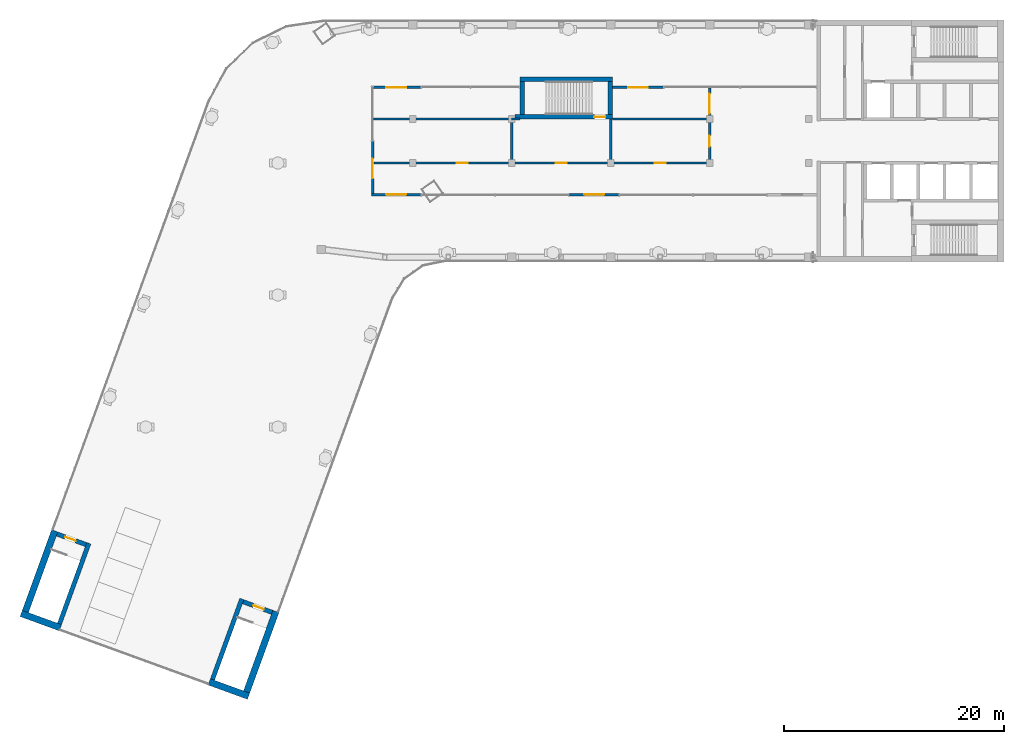
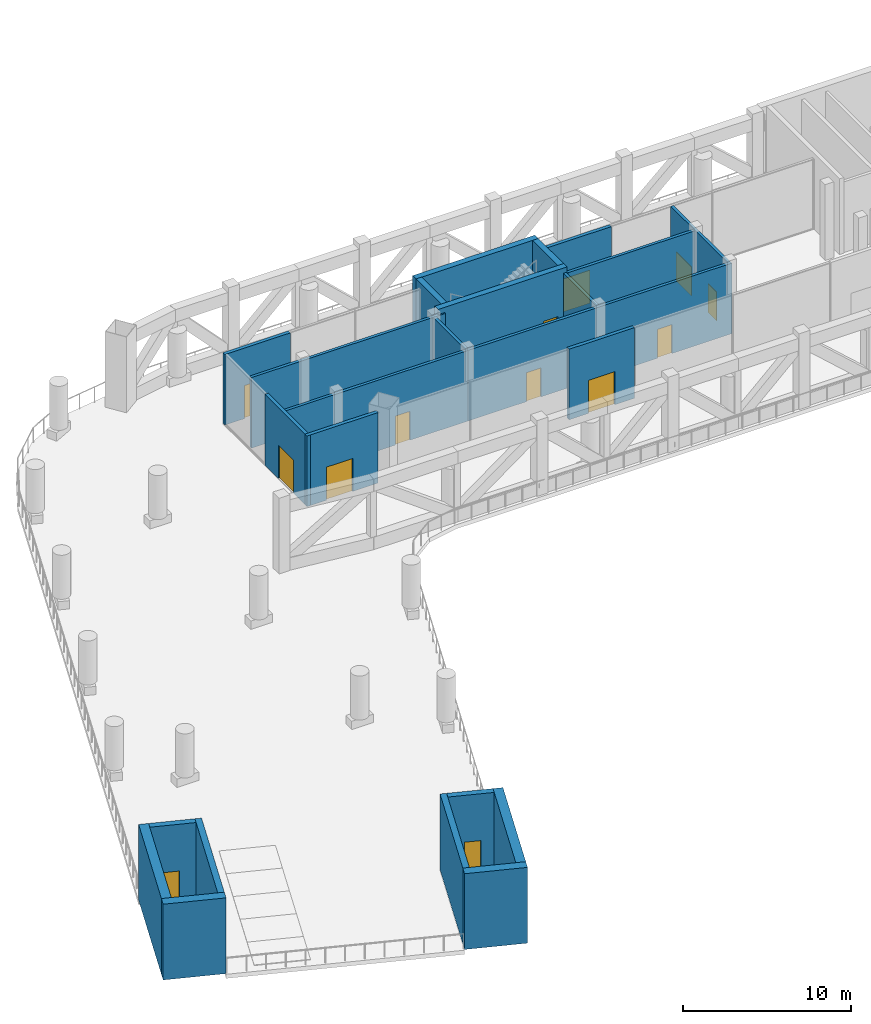
# One storey, part 8 of 14: 25 walls, 13 doors, 13 openings.
"""IFC4 building model written with IfcOpenShell, lengths in metres."""

from ifc_helpers import new_model, si_unit, direction, frame, frame_2d, origin, place, context, subcontext, project, spatial, rectangle, extrude, material, layer, layer_set, type_object, element, fill, save


model = new_model("IFC4")

# Units and contexts
model_context = context("Model", 3, precision=1e-05, world=origin(), true_north=direction((0.0, 1.0)))
body_context = subcontext(model_context, "Body", "Model", "MODEL_VIEW")
ifc_project = project(units=[si_unit("LENGTHUNIT", "METRE"), si_unit("AREAUNIT", "SQUARE_METRE"), si_unit("VOLUMEUNIT", "CUBIC_METRE"), si_unit("PLANEANGLEUNIT", "RADIAN"), si_unit("MASSUNIT", "GRAM", prefix="KILO")], contexts=[model_context])

# Site, building, storey
site_placement = place(None, origin())
site = spatial("IfcSite", under=ifc_project, at=site_placement, CompositionType="ELEMENT")
building_placement = place(site_placement, origin())
building = spatial("IfcBuilding", under=site, at=building_placement, Name="Skarvind Civic Tower", CompositionType="ELEMENT")
storey_placement = place(building_placement, frame((0.0, 0.0, 236.0)))
storey = spatial("IfcBuildingStorey", under=building, at=storey_placement, Name="L56", CompositionType="ELEMENT", Elevation=236.0)

# Wall
ifc_material_1 = material(Name="Concrete C60", Category="concrete")
ifc_layer_1 = layer(ifc_material_1, 0.39990234375)
ifc_layer_set_1 = layer_set([ifc_layer_1], Name="Core wall 400 C60")
wall_type_1 = type_object("IfcWallType", Name="Core wall 400 C60", PredefinedType="SHEAR", material=ifc_layer_set_1)
wall_1_placement = place(storey_placement, frame((36.057861328125, 79.04833984375, 0.0), z_axis=(0.0, 0.0, 1.0), x_axis=(0.342016982193, 0.939693771338, 0.0)))
element("IfcWall", 1, at=wall_1_placement, inside=storey, type_object=wall_type_1, Name="Core wall C2 south stair head-house inner L56", PredefinedType="SHEAR", context=body_context, shape_type="SweptSolid", body=[
    extrude(rectangle(XDim=7.800048828125, YDim=0.39990234375, at=frame_2d((3.89990234375, 0.0))), origin(), (0.0, 0.0, 1.0), 5.5),
])

# Wall, opening, door
wall_2_placement = place(storey_placement, frame((41.476318359375, 85.163818359375, 0.0), z_axis=(0.0, 0.0, 1.0), x_axis=(-0.939678810556, 0.342058084236, 0.0)))
wall_2 = element("IfcWall", 2, at=wall_2_placement, inside=storey, type_object=wall_type_1, Name="Core wall C2 south stair head-house end L56", PredefinedType="SHEAR", context=body_context, shape_type="SweptSolid", body=[
    extrude(rectangle(XDim=2.800048828125, YDim=0.39990234375, at=frame_2d((1.39990234375, 0.0))), origin(), (0.0, 0.0, 1.0), 5.5),
])
opening_1_placement = place(wall_2_placement, frame((0.800048828125, 0.0, 0.0)))
opening_1 = element("IfcOpeningElement", 3, at=opening_1_placement, cuts=wall_2, Name="Opening D-L56-C2-01", PredefinedType="OPENING", context=body_context, shape_type="SweptSolid", body=[
    extrude(rectangle(XDim=1.0, YDim=2.10009765625, at=frame_2d((0.5, 1.050048828125))), frame((0.0, 0.2099609375, 0.0), z_axis=(0.0, -1.0, 0.0), x_axis=(1.0, 0.0, 0.0)), (0.0, 0.0, 1.0), 0.419921875),
])
ifc_material_2 = material(Name="Fire-rated steel door", Category="steel")
door_type_1 = type_object("IfcDoorType", Name="Fire door 1000", OperationType="NOTDEFINED", PredefinedType="DOOR", material=ifc_material_2)
door_1_placement = place(opening_1_placement, origin())
door_1 = element("IfcDoor", 4, at=door_1_placement, inside=storey, type_object=door_type_1, Name="Roof door", OperationType="SINGLE_SWING_LEFT", OverallHeight=2.10009765625, OverallWidth=1.0, PredefinedType="DOOR", context=body_context, shape_type="SweptSolid", body=[
    extrude(rectangle(XDim=1.0, YDim=2.10009765625, at=frame_2d((0.5, 1.050048828125))), frame((0.0, 0.02490234375, 0.0), z_axis=(0.0, -1.0, 0.0), x_axis=(1.0, 0.0, 0.0)), (0.0, 0.0, 1.0), 0.050048828125),
])
fill(opening_1, door_1)

# Wall
wall_3_placement = place(storey_placement, frame((22.150390625, 84.110107421875, 0.0), z_axis=(0.0, 0.0, 1.0), x_axis=(0.342016982193, 0.939693771338, 0.0)))
element("IfcWall", 5, at=wall_3_placement, inside=storey, type_object=wall_type_1, Name="Core wall C2 north stair head-house inner L56", PredefinedType="SHEAR", context=body_context, shape_type="SweptSolid", body=[
    extrude(rectangle(XDim=7.800048828125, YDim=0.39990234375, at=frame_2d((3.89990234375, 0.0))), origin(), (0.0, 0.0, 1.0), 5.5),
])

# Wall, opening, door
wall_4_placement = place(storey_placement, frame((24.56201171875, 91.3203125, 0.0), z_axis=(0.0, 0.0, 1.0), x_axis=(-0.939717030584, 0.341953070509, 0.0)))
wall_4 = element("IfcWall", 6, at=wall_4_placement, inside=storey, type_object=wall_type_1, Name="Core wall C2 north stair head-house end L56", PredefinedType="SHEAR", context=body_context, shape_type="SweptSolid", body=[
    extrude(rectangle(XDim=2.800048828125, YDim=0.39990234375, at=frame_2d((1.39990234375, 0.0))), origin(), (0.0, 0.0, 1.0), 5.5),
])
opening_2_placement = place(wall_4_placement, frame((1.0, 0.0, 0.0)))
opening_2 = element("IfcOpeningElement", 7, at=opening_2_placement, cuts=wall_4, Name="Opening D-L56-C2-02", PredefinedType="OPENING", context=body_context, shape_type="SweptSolid", body=[
    extrude(rectangle(XDim=1.0, YDim=2.10009765625, at=frame_2d((0.5, 1.050048828125))), frame((0.0, 0.2099609375, 0.0), z_axis=(0.0, -1.0, 0.0), x_axis=(1.0, 0.0, 0.0)), (0.0, 0.0, 1.0), 0.419921875),
])
door_2_placement = place(opening_2_placement, origin())
door_2 = element("IfcDoor", 8, at=door_2_placement, inside=storey, type_object=door_type_1, Name="Roof door", OperationType="SINGLE_SWING_LEFT", OverallHeight=2.10009765625, OverallWidth=1.0, PredefinedType="DOOR", context=body_context, shape_type="SweptSolid", body=[
    extrude(rectangle(XDim=1.0, YDim=2.10009765625, at=frame_2d((0.5, 1.050048828125))), frame((0.0, 0.02490234375, 0.0), z_axis=(0.0, -1.0, 0.0), x_axis=(1.0, 0.0, 0.0)), (0.0, 0.0, 1.0), 0.050048828125),
])
fill(opening_2, door_2)

wall_5_placement = place(storey_placement, frame((63.550048828125, 130.199951171875, 0.0), z_axis=(0.0, 0.0, 1.0), x_axis=(1.0, 0.0, 0.0)))
wall_5 = element("IfcWall", 9, at=wall_5_placement, inside=storey, type_object=wall_type_1, Name="Core wall CM inner L56", PredefinedType="SHEAR", context=body_context, shape_type="SweptSolid", body=[
    extrude(rectangle(XDim=8.849853515625, YDim=0.39990234375, at=frame_2d((4.4248046875, 0.0))), origin(), (0.0, 0.0, 1.0), 5.5),
])
opening_3_placement = place(wall_5_placement, frame((7.22509765625, 0.0, 0.0)))
opening_3 = element("IfcOpeningElement", 10, at=opening_3_placement, cuts=wall_5, Name="Opening D-L56-CM-01", PredefinedType="OPENING", context=body_context, shape_type="SweptSolid", body=[
    extrude(rectangle(XDim=1.0, YDim=2.10009765625, at=frame_2d((0.5, 1.050048828125))), frame((0.0, 0.2099609375, 0.0), z_axis=(0.0, -1.0, 0.0), x_axis=(1.0, 0.0, 0.0)), (0.0, 0.0, 1.0), 0.419921875),
])
door_3_placement = place(opening_3_placement, origin())
door_3 = element("IfcDoor", 11, at=door_3_placement, inside=storey, type_object=door_type_1, Name="Fire door", OperationType="SINGLE_SWING_LEFT", OverallHeight=2.10009765625, OverallWidth=1.0, PredefinedType="DOOR", context=body_context, shape_type="SweptSolid", body=[
    extrude(rectangle(XDim=1.0, YDim=2.10009765625, at=frame_2d((0.5, 1.050048828125))), frame((0.0, 0.02490234375, 0.0), z_axis=(0.0, -1.0, 0.0), x_axis=(1.0, 0.0, 0.0)), (0.0, 0.0, 1.0), 0.050048828125),
])
fill(opening_3, door_3)

# Walls
wall_6_placement = place(storey_placement, frame((64.0, 133.60009765625, 0.0), z_axis=(0.0, 0.0, 1.0), x_axis=(1.0, 0.0, 0.0)))
element("IfcWall", 12, at=wall_6_placement, inside=storey, type_object=wall_type_1, Name="Core wall CM outer L56", PredefinedType="SHEAR", context=body_context, shape_type="SweptSolid", body=[
    extrude(rectangle(XDim=8.39990234375, YDim=0.39990234375, at=frame_2d((4.199951171875, 0.0))), origin(), (0.0, 0.0, 1.0), 5.5),
])
for number, where, z_axis, x_axis, name in (
    (13, (64.199951171875, 130.39990234375, 0.0), (0.0, 0.0, 1.0), (0.0, 1.0, 0.0), "Core wall CM west L56"),
    (14, (72.199951171875, 130.39990234375, 0.0), (0.0, 0.0, 1.0), (0.0, 1.0, 0.0), "Core wall CM end L56"),
):
    element("IfcWall", number, at=place(storey_placement, frame(where, z_axis=z_axis, x_axis=x_axis)), inside=storey, type_object=wall_type_1, Name=name, PredefinedType="SHEAR", context=body_context, shape_type="SweptSolid", body=[
        extrude(rectangle(XDim=3.0, YDim=0.39990234375, at=frame_2d((1.5, 0.0))), origin(), (0.0, 0.0, 1.0), 5.5),
    ])
ifc_layer_2 = layer(ifc_material_1, 0.60009765625)
ifc_layer_set_2 = layer_set([ifc_layer_2], Name="Core wall 600 C60")
wall_type_2 = type_object("IfcWallType", Name="Core wall 600 C60", PredefinedType="SHEAR", material=ifc_layer_set_2)
wall_7_placement = place(storey_placement, frame((39.338134765625, 77.53515625, 0.0), z_axis=(0.0, 0.0, 1.0), x_axis=(-0.939701471648, 0.341995824804, 0.0)))
element("IfcWall", 15, at=wall_7_placement, inside=storey, type_object=wall_type_2, Name="Core wall C2 south stair head-house tip L56", PredefinedType="SHEAR", context=body_context, shape_type="SweptSolid", body=[
    extrude(rectangle(XDim=3.800048828125, YDim=0.60009765625, at=frame_2d((1.89990234375, 0.0))), origin(), (0.0, 0.0, 1.0), 5.5),
])
wall_8_placement = place(storey_placement, frame((39.158935546875, 77.919677734375, 0.0), z_axis=(0.0, 0.0, 1.0), x_axis=(0.342016982193, 0.939693771338, 0.0)))
element("IfcWall", 16, at=wall_8_placement, inside=storey, type_object=wall_type_2, Name="Core wall C2 south stair head-house side L56", PredefinedType="SHEAR", context=body_context, shape_type="SweptSolid", body=[
    extrude(rectangle(XDim=7.800048828125, YDim=0.60009765625, at=frame_2d((3.89990234375, 0.0))), origin(), (0.0, 0.0, 1.0), 5.5),
])
wall_9_placement = place(storey_placement, frame((22.23583984375, 83.759765625, 0.0), z_axis=(0.0, 0.0, 1.0), x_axis=(-0.939680822529, 0.342052557032, 0.0)))
element("IfcWall", 17, at=wall_9_placement, inside=storey, type_object=wall_type_2, Name="Core wall C2 north stair head-house tip L56", PredefinedType="SHEAR", context=body_context, shape_type="SweptSolid", body=[
    extrude(rectangle(XDim=3.800048828125, YDim=0.60009765625, at=frame_2d((1.89990234375, 0.0))), origin(), (0.0, 0.0, 1.0), 5.5),
])
wall_10_placement = place(storey_placement, frame((19.049560546875, 85.23876953125, 0.0), z_axis=(0.0, 0.0, 1.0), x_axis=(0.342016982193, 0.939693771338, 0.0)))
element("IfcWall", 18, at=wall_10_placement, inside=storey, type_object=wall_type_2, Name="Core wall C2 north stair head-house side L56", PredefinedType="SHEAR", context=body_context, shape_type="SweptSolid", body=[
    extrude(rectangle(XDim=7.800048828125, YDim=0.60009765625, at=frame_2d((3.89990234375, 0.0))), origin(), (0.0, 0.0, 1.0), 5.5),
])

# Wall, opening, door
ifc_material_3 = material(Name="Fire-rated blockwork wall, plastered", Category="masonry")
ifc_layer_3 = layer(ifc_material_3, 0.199951171875)
ifc_layer_set_3 = layer_set([ifc_layer_3], Name="FIRE WALL 200 EI 120")
wall_type_3 = type_object("IfcWallType", Name="FIRE WALL 200 EI 120", PredefinedType="PARTITIONING", material=ifc_layer_set_3)
wall_11_placement = place(storey_placement, frame((50.719970703125, 126.0, 0.0), z_axis=(0.0, 0.0, 1.0), x_axis=(1.0, 0.0, 0.0)))
wall_11 = element("IfcWall", 19, at=wall_11_placement, inside=storey, type_object=wall_type_3, Name="Separator partition L56 001", PredefinedType="PARTITIONING", context=body_context, shape_type="SweptSolid", body=[
    extrude(rectangle(XDim=12.530029296875, YDim=0.199951171875, at=frame_2d((6.26513671875, 0.0))), origin(), (0.0, 0.0, 1.0), 5.125),
])
opening_4_placement = place(wall_11_placement, frame((7.530029296875, 0.0, 0.0)))
opening_4 = element("IfcOpeningElement", 20, at=opening_4_placement, cuts=wall_11, Name="Opening L56-D201", PredefinedType="OPENING", context=body_context, shape_type="SweptSolid", body=[
    extrude(rectangle(XDim=1.0, YDim=2.10009765625, at=frame_2d((0.5, 1.050048828125))), frame((0.0, 0.10986328125, 0.0), z_axis=(0.0, -1.0, 0.0), x_axis=(1.0, 0.0, 0.0)), (0.0, 0.0, 1.0), 0.219970703125),
])
ifc_material_4 = material(Name="Painted steel fire door leaf", Category="steel")
door_type_2 = type_object("IfcDoorType", Name="FIRE DOOR 1000X2100 STEEL", OperationType="NOTDEFINED", PredefinedType="DOOR", material=ifc_material_4)
door_4_placement = place(opening_4_placement, origin())
door_4 = element("IfcDoor", 21, at=door_4_placement, inside=storey, type_object=door_type_2, Name="FIRE DOOR", OperationType="SINGLE_SWING_LEFT", OverallHeight=2.10009765625, OverallWidth=1.0, PredefinedType="DOOR", context=body_context, shape_type="SweptSolid", body=[
    extrude(rectangle(XDim=1.0, YDim=2.10009765625, at=frame_2d((0.5, 1.050048828125))), frame((0.0, 0.02490234375, 0.0), z_axis=(0.0, -1.0, 0.0), x_axis=(1.0, 0.0, 0.0)), (0.0, 0.0, 1.0), 0.050048828125),
])
fill(opening_4, door_4)

# Walls
wall_12_placement = place(storey_placement, frame((50.679931640625, 130.0, 0.0), z_axis=(0.0, 0.0, 1.0), x_axis=(1.0, 0.0, 0.0)))
element("IfcWall", 22, at=wall_12_placement, inside=storey, type_object=wall_type_3, Name="Separator partition L56 002", PredefinedType="PARTITIONING", context=body_context, shape_type="SweptSolid", body=[
    extrude(rectangle(XDim=12.570068359375, YDim=0.199951171875, at=frame_2d((6.28515625, 0.0))), origin(), (0.0, 0.0, 1.0), 5.125),
])
wall_13_placement = place(storey_placement, frame((63.25, 126.10009765625, 0.0), z_axis=(0.0, 0.0, 1.0), x_axis=(0.0, 1.0, 0.0)))
element("IfcWall", 23, at=wall_13_placement, inside=storey, type_object=wall_type_3, Name="Separator partition L56 003", PredefinedType="PARTITIONING", context=body_context, shape_type="SweptSolid", body=[
    extrude(rectangle(XDim=3.7998046875, YDim=0.199951171875, at=frame_2d((1.89990234375, 0.0))), origin(), (0.0, 0.0, 1.0), 5.125),
])

# Wall, openings, doors
ifc_layer_4 = layer(ifc_material_3, 0.199951171875)
ifc_layer_set_4 = layer_set([ifc_layer_4], Name="FIRE WALL 200 EI 60")
wall_type_4 = type_object("IfcWallType", Name="FIRE WALL 200 EI 60", PredefinedType="PARTITIONING", material=ifc_layer_set_4)
wall_14_placement = place(storey_placement, frame((63.25, 126.0, 0.0), z_axis=(0.0, 0.0, 1.0), x_axis=(1.0, 0.0, 0.0)))
wall_14 = element("IfcWall", 24, at=wall_14_placement, inside=storey, type_object=wall_type_4, Name="Separator partition L56 004", PredefinedType="PARTITIONING", context=body_context, shape_type="SweptSolid", body=[
    extrude(rectangle(XDim=18.10009765625, YDim=0.199951171875, at=frame_2d((9.050048828125, 0.0))), origin(), (0.0, 0.0, 1.0), 5.125),
])
opening_5_placement = place(wall_14_placement, frame((4.0, 0.0, 0.0)))
opening_5 = element("IfcOpeningElement", 25, at=opening_5_placement, cuts=wall_14, Name="Opening L56-D202", PredefinedType="OPENING", context=body_context, shape_type="SweptSolid", body=[
    extrude(rectangle(XDim=1.0, YDim=2.10009765625, at=frame_2d((0.5, 1.050048828125))), frame((0.0, 0.10986328125, 0.0), z_axis=(0.0, -1.0, 0.0), x_axis=(1.0, 0.0, 0.0)), (0.0, 0.0, 1.0), 0.219970703125),
])
opening_6_placement = place(wall_14_placement, frame((13.0, 0.0, 0.0)))
opening_6 = element("IfcOpeningElement", 26, at=opening_6_placement, cuts=wall_14, Name="Opening L56-D203", PredefinedType="OPENING", context=body_context, shape_type="SweptSolid", body=[
    extrude(rectangle(XDim=1.0, YDim=2.10009765625, at=frame_2d((0.5, 1.050048828125))), frame((0.0, 0.10986328125, 0.0), z_axis=(0.0, -1.0, 0.0), x_axis=(1.0, 0.0, 0.0)), (0.0, 0.0, 1.0), 0.219970703125),
])
door_5_placement = place(opening_5_placement, origin())
door_5 = element("IfcDoor", 27, at=door_5_placement, inside=storey, type_object=door_type_2, Name="FIRE DOOR", OperationType="SINGLE_SWING_RIGHT", OverallHeight=2.10009765625, OverallWidth=1.0, PredefinedType="DOOR", context=body_context, shape_type="SweptSolid", body=[
    extrude(rectangle(XDim=1.0, YDim=2.10009765625, at=frame_2d((0.5, 1.050048828125))), frame((0.0, 0.02490234375, 0.0), z_axis=(0.0, -1.0, 0.0), x_axis=(1.0, 0.0, 0.0)), (0.0, 0.0, 1.0), 0.050048828125),
])
fill(opening_5, door_5)
door_6_placement = place(opening_6_placement, origin())
door_6 = element("IfcDoor", 28, at=door_6_placement, inside=storey, type_object=door_type_2, Name="FIRE DOOR", OperationType="SINGLE_SWING_LEFT", OverallHeight=2.10009765625, OverallWidth=1.0, PredefinedType="DOOR", context=body_context, shape_type="SweptSolid", body=[
    extrude(rectangle(XDim=1.0, YDim=2.10009765625, at=frame_2d((0.5, 1.050048828125))), frame((0.0, 0.02490234375, 0.0), z_axis=(0.0, -1.0, 0.0), x_axis=(1.0, 0.0, 0.0)), (0.0, 0.0, 1.0), 0.050048828125),
])
fill(opening_6, door_6)

# Walls
wall_15_placement = place(storey_placement, frame((63.25, 130.0, 0.0), z_axis=(0.0, 0.0, 1.0), x_axis=(1.0, 0.0, 0.0)))
element("IfcWall", 29, at=wall_15_placement, inside=storey, type_object=wall_type_4, Name="Separator partition L56 005", PredefinedType="PARTITIONING", context=body_context, shape_type="SweptSolid", body=[
    extrude(rectangle(XDim=0.75, YDim=0.199951171875, at=frame_2d((0.375, 0.0))), origin(), (0.0, 0.0, 1.0), 5.125),
])
wall_16_placement = place(storey_placement, frame((72.25, 126.10009765625, 0.0), z_axis=(0.0, 0.0, 1.0), x_axis=(0.0, 1.0, 0.0)))
element("IfcWall", 30, at=wall_16_placement, inside=storey, type_object=wall_type_4, Name="Separator partition L56 006", PredefinedType="PARTITIONING", context=body_context, shape_type="SweptSolid", body=[
    extrude(rectangle(XDim=3.89990234375, YDim=0.199951171875, at=frame_2d((1.949951171875, 0.0))), origin(), (0.0, 0.0, 1.0), 5.125),
])
wall_17_placement = place(storey_placement, frame((72.39990234375, 130.0, 0.0), z_axis=(0.0, 0.0, 1.0), x_axis=(1.0, 0.0, 0.0)))
element("IfcWall", 31, at=wall_17_placement, inside=storey, type_object=wall_type_4, Name="Separator partition L56 007", PredefinedType="PARTITIONING", context=body_context, shape_type="SweptSolid", body=[
    extrude(rectangle(XDim=8.75, YDim=0.199951171875, at=frame_2d((4.375, 0.0))), origin(), (0.0, 0.0, 1.0), 5.125),
])

# Wall, openings, doors
wall_18_placement = place(storey_placement, frame((81.25, 126.10009765625, 0.0), z_axis=(0.0, 0.0, 1.0), x_axis=(0.0, 1.0, 0.0)))
wall_18 = element("IfcWall", 32, at=wall_18_placement, inside=storey, type_object=wall_type_4, Name="Separator partition L56 008", PredefinedType="PARTITIONING", context=body_context, shape_type="SweptSolid", body=[
    extrude(rectangle(XDim=6.719970703125, YDim=0.199951171875, at=frame_2d((3.35986328125, 0.0))), origin(), (0.0, 0.0, 1.0), 5.125),
])
opening_7_placement = place(wall_18_placement, frame((1.39990234375, 0.0, 0.0)))
opening_7 = element("IfcOpeningElement", 33, at=opening_7_placement, cuts=wall_18, Name="Opening L56-D204", PredefinedType="OPENING", context=body_context, shape_type="SweptSolid", body=[
    extrude(rectangle(XDim=1.0, YDim=2.10009765625, at=frame_2d((0.5, 1.050048828125))), frame((0.0, 0.10986328125, 0.0), z_axis=(0.0, -1.0, 0.0), x_axis=(1.0, 0.0, 0.0)), (0.0, 0.0, 1.0), 0.219970703125),
])
opening_8_placement = place(wall_18_placement, frame((4.39990234375, 0.0, 0.0)))
opening_8 = element("IfcOpeningElement", 34, at=opening_8_placement, cuts=wall_18, Name="Opening L56-D205", PredefinedType="OPENING", context=body_context, shape_type="SweptSolid", body=[
    extrude(rectangle(XDim=1.800048828125, YDim=2.10009765625, at=frame_2d((0.89990234375, 1.050048828125))), frame((0.0, 0.10986328125, 0.0), z_axis=(0.0, -1.0, 0.0), x_axis=(1.0, 0.0, 0.0)), (0.0, 0.0, 1.0), 0.219970703125),
])
door_7_placement = place(opening_7_placement, origin())
door_7 = element("IfcDoor", 35, at=door_7_placement, inside=storey, type_object=door_type_2, Name="FIRE DOOR", OperationType="SINGLE_SWING_RIGHT", OverallHeight=2.10009765625, OverallWidth=1.0, PredefinedType="DOOR", context=body_context, shape_type="SweptSolid", body=[
    extrude(rectangle(XDim=1.0, YDim=2.10009765625, at=frame_2d((0.5, 1.050048828125))), frame((0.0, 0.02490234375, 0.0), z_axis=(0.0, -1.0, 0.0), x_axis=(1.0, 0.0, 0.0)), (0.0, 0.0, 1.0), 0.050048828125),
])
fill(opening_7, door_7)
door_type_3 = type_object("IfcDoorType", Name="FIRE DOOR 1800X2100 DOUBLE STEEL", OperationType="NOTDEFINED", PredefinedType="DOOR", material=ifc_material_4)
door_8_placement = place(opening_8_placement, origin())
door_8 = element("IfcDoor", 36, at=door_8_placement, inside=storey, type_object=door_type_3, Name="FIRE DOOR", OperationType="DOUBLE_DOOR_SINGLE_SWING", OverallHeight=2.10009765625, OverallWidth=1.800048828125, PredefinedType="DOOR", context=body_context, shape_type="SweptSolid", body=[
    extrude(rectangle(XDim=1.800048828125, YDim=2.10009765625, at=frame_2d((0.89990234375, 1.050048828125))), frame((0.0, 0.02490234375, 0.0), z_axis=(0.0, -1.0, 0.0), x_axis=(1.0, 0.0, 0.0)), (0.0, 0.0, 1.0), 0.050048828125),
])
fill(opening_8, door_8)

# Wall, opening, door
ifc_material_5 = material(Name="Limestone masonry cladding on insulated backing", Category="masonry")
ifc_layer_5 = layer(ifc_material_5, 0.239990234375)
ifc_layer_set_5 = layer_set([ifc_layer_5], Name="WX4 STONE DOOR PIER WALL 240")
wall_type_5 = type_object("IfcWallType", Name="WX4 STONE DOOR PIER WALL 240", PredefinedType="SOLIDWALL", material=ifc_layer_set_5)
wall_19_placement = place(storey_placement, frame((50.5, 132.8798828125, 0.0), z_axis=(0.0, 0.0, 1.0), x_axis=(1.0, 0.0, 0.0)))
wall_19 = element("IfcWall", 37, at=wall_19_placement, inside=storey, type_object=wall_type_5, Name="STONE DOOR PIER WALL", PredefinedType="SOLIDWALL", context=body_context, shape_type="SweptSolid", body=[
    extrude(rectangle(XDim=4.5, YDim=0.239990234375, at=frame_2d((2.25, 0.0))), origin(), (0.0, 0.0, 1.0), 5.125),
])
opening_9_placement = place(wall_19_placement, frame((1.35009765625, 0.0, 0.0)))
opening_9 = element("IfcOpeningElement", 38, at=opening_9_placement, cuts=wall_19, Name="Opening DX3", PredefinedType="OPENING", context=body_context, shape_type="SweptSolid", body=[
    extrude(rectangle(XDim=1.800048828125, YDim=2.39990234375, at=frame_2d((0.89990234375, 1.199951171875))), frame((0.0, 0.1298828125, 0.0), z_axis=(0.0, -1.0, 0.0), x_axis=(1.0, 0.0, 0.0)), (0.0, 0.0, 1.0), 0.260009765625),
])
ifc_material_6 = material(Name="Timber and glass doorset", Category="wood")
door_type_4 = type_object("IfcDoorType", Name="DX3 TERRACE DOORS 1800 x 2400", OperationType="NOTDEFINED", PredefinedType="DOOR", material=ifc_material_6)
door_9_placement = place(opening_9_placement, origin())
door_9 = element("IfcDoor", 39, at=door_9_placement, inside=storey, type_object=door_type_4, Name="TERRACE DOORS", OperationType="DOUBLE_DOOR_SINGLE_SWING", OverallHeight=2.39990234375, OverallWidth=1.800048828125, PredefinedType="DOOR", context=body_context, shape_type="SweptSolid", body=[
    extrude(rectangle(XDim=1.800048828125, YDim=2.39990234375, at=frame_2d((0.89990234375, 1.199951171875))), frame((0.0, 0.02490234375, 0.0), z_axis=(0.0, -1.0, 0.0), x_axis=(1.0, 0.0, 0.0)), (0.0, 0.0, 1.0), 0.050048828125),
])
fill(opening_9, door_9)

wall_20_placement = place(storey_placement, frame((50.6201171875, 123.0, 0.0), z_axis=(0.0, 0.0, 1.0), x_axis=(0.0, 1.0, 0.0)))
wall_20 = element("IfcWall", 40, at=wall_20_placement, inside=storey, type_object=wall_type_5, Name="STONE DOOR PIER WALL", PredefinedType="SOLIDWALL", context=body_context, shape_type="SweptSolid", body=[
    extrude(rectangle(XDim=5.0, YDim=0.239990234375, at=frame_2d((2.5, 0.0))), origin(), (0.0, 0.0, 1.0), 5.125),
])
opening_10_placement = place(wall_20_placement, frame((1.60009765625, 0.0, 0.0)))
opening_10 = element("IfcOpeningElement", 41, at=opening_10_placement, cuts=wall_20, Name="Opening DX3", PredefinedType="OPENING", context=body_context, shape_type="SweptSolid", body=[
    extrude(rectangle(XDim=1.800048828125, YDim=2.39990234375, at=frame_2d((0.89990234375, 1.199951171875))), frame((0.0, 0.1298828125, 0.0), z_axis=(0.0, -1.0, 0.0), x_axis=(1.0, 0.0, 0.0)), (0.0, 0.0, 1.0), 0.260009765625),
])
door_10_placement = place(opening_10_placement, origin())
door_10 = element("IfcDoor", 42, at=door_10_placement, inside=storey, type_object=door_type_4, Name="TERRACE DOORS", OperationType="DOUBLE_DOOR_SINGLE_SWING", OverallHeight=2.39990234375, OverallWidth=1.800048828125, PredefinedType="DOOR", context=body_context, shape_type="SweptSolid", body=[
    extrude(rectangle(XDim=1.800048828125, YDim=2.39990234375, at=frame_2d((0.89990234375, 1.199951171875))), frame((0.0, 0.02490234375, 0.0), z_axis=(0.0, -1.0, 0.0), x_axis=(1.0, 0.0, 0.0)), (0.0, 0.0, 1.0), 0.050048828125),
])
fill(opening_10, door_10)

wall_21_placement = place(storey_placement, frame((73.0, 123.1201171875, 0.0), z_axis=(0.0, 0.0, 1.0), x_axis=(-1.0, 0.0, 0.0)))
wall_21 = element("IfcWall", 43, at=wall_21_placement, inside=storey, type_object=wall_type_5, Name="STONE DOOR PIER WALL", PredefinedType="SOLIDWALL", context=body_context, shape_type="SweptSolid", body=[
    extrude(rectangle(XDim=4.5, YDim=0.239990234375, at=frame_2d((2.25, 0.0))), origin(), (0.0, 0.0, 1.0), 5.125),
])
opening_11_placement = place(wall_21_placement, frame((1.35009765625, 0.0, 0.0)))
opening_11 = element("IfcOpeningElement", 44, at=opening_11_placement, cuts=wall_21, Name="Opening DX3", PredefinedType="OPENING", context=body_context, shape_type="SweptSolid", body=[
    extrude(rectangle(XDim=1.800048828125, YDim=2.39990234375, at=frame_2d((0.89990234375, 1.199951171875))), frame((0.0, 0.1298828125, 0.0), z_axis=(0.0, -1.0, 0.0), x_axis=(1.0, 0.0, 0.0)), (0.0, 0.0, 1.0), 0.260009765625),
])
door_11_placement = place(opening_11_placement, origin())
door_11 = element("IfcDoor", 45, at=door_11_placement, inside=storey, type_object=door_type_4, Name="TERRACE DOORS", OperationType="DOUBLE_DOOR_SINGLE_SWING", OverallHeight=2.39990234375, OverallWidth=1.800048828125, PredefinedType="DOOR", context=body_context, shape_type="SweptSolid", body=[
    extrude(rectangle(XDim=1.800048828125, YDim=2.39990234375, at=frame_2d((0.89990234375, 1.199951171875))), frame((0.0, 0.02490234375, 0.0), z_axis=(0.0, -1.0, 0.0), x_axis=(1.0, 0.0, 0.0)), (0.0, 0.0, 1.0), 0.050048828125),
])
fill(opening_11, door_11)

wall_22_placement = place(storey_placement, frame((55.39892578125, 123.1201171875, 0.0), z_axis=(0.0, 0.0, 1.0), x_axis=(-1.0, 0.0, 0.0)))
wall_22 = element("IfcWall", 46, at=wall_22_placement, inside=storey, type_object=wall_type_5, Name="STONE DOOR PIER WALL", PredefinedType="SOLIDWALL", context=body_context, shape_type="SweptSolid", body=[
    extrude(rectangle(XDim=4.89892578125, YDim=0.239990234375, at=frame_2d((2.449462890625, 0.0))), origin(), (0.0, 0.0, 1.0), 5.125),
])
opening_12_placement = place(wall_22_placement, frame((1.7490234375, 0.0, 0.0)))
opening_12 = element("IfcOpeningElement", 47, at=opening_12_placement, cuts=wall_22, Name="Opening DX3", PredefinedType="OPENING", context=body_context, shape_type="SweptSolid", body=[
    extrude(rectangle(XDim=1.800048828125, YDim=2.39990234375, at=frame_2d((0.89990234375, 1.199951171875))), frame((0.0, 0.1298828125, 0.0), z_axis=(0.0, -1.0, 0.0), x_axis=(1.0, 0.0, 0.0)), (0.0, 0.0, 1.0), 0.260009765625),
])
door_12_placement = place(opening_12_placement, origin())
door_12 = element("IfcDoor", 48, at=door_12_placement, inside=storey, type_object=door_type_4, Name="TERRACE DOORS", OperationType="DOUBLE_DOOR_SINGLE_SWING", OverallHeight=2.39990234375, OverallWidth=1.800048828125, PredefinedType="DOOR", context=body_context, shape_type="SweptSolid", body=[
    extrude(rectangle(XDim=1.800048828125, YDim=2.39990234375, at=frame_2d((0.89990234375, 1.199951171875))), frame((0.0, 0.02490234375, 0.0), z_axis=(0.0, -1.0, 0.0), x_axis=(1.0, 0.0, 0.0)), (0.0, 0.0, 1.0), 0.050048828125),
])
fill(opening_12, door_12)

wall_23_placement = place(storey_placement, frame((72.39990234375, 132.8798828125, 0.0), z_axis=(0.0, 0.0, 1.0), x_axis=(1.0, 0.0, 0.0)))
wall_23 = element("IfcWall", 49, at=wall_23_placement, inside=storey, type_object=wall_type_5, Name="STONE DOOR PIER WALL", PredefinedType="SOLIDWALL", context=body_context, shape_type="SweptSolid", body=[
    extrude(rectangle(XDim=4.650146484375, YDim=0.239990234375, at=frame_2d((2.3251953125, 0.0))), origin(), (0.0, 0.0, 1.0), 5.125),
])
opening_13_placement = place(wall_23_placement, frame((1.425048828125, 0.0, 0.0)))
opening_13 = element("IfcOpeningElement", 50, at=opening_13_placement, cuts=wall_23, Name="Opening DX3", PredefinedType="OPENING", context=body_context, shape_type="SweptSolid", body=[
    extrude(rectangle(XDim=1.800048828125, YDim=2.39990234375, at=frame_2d((0.89990234375, 1.199951171875))), frame((0.0, 0.1298828125, 0.0), z_axis=(0.0, -1.0, 0.0), x_axis=(1.0, 0.0, 0.0)), (0.0, 0.0, 1.0), 0.260009765625),
])
door_13_placement = place(opening_13_placement, origin())
door_13 = element("IfcDoor", 51, at=door_13_placement, inside=storey, type_object=door_type_4, Name="TERRACE DOORS", OperationType="DOUBLE_DOOR_SINGLE_SWING", OverallHeight=2.39990234375, OverallWidth=1.800048828125, PredefinedType="DOOR", context=body_context, shape_type="SweptSolid", body=[
    extrude(rectangle(XDim=1.800048828125, YDim=2.39990234375, at=frame_2d((0.89990234375, 1.199951171875))), frame((0.0, 0.02490234375, 0.0), z_axis=(0.0, -1.0, 0.0), x_axis=(1.0, 0.0, 0.0)), (0.0, 0.0, 1.0), 0.050048828125),
])
fill(opening_13, door_13)

save(model, "model.ifc")
